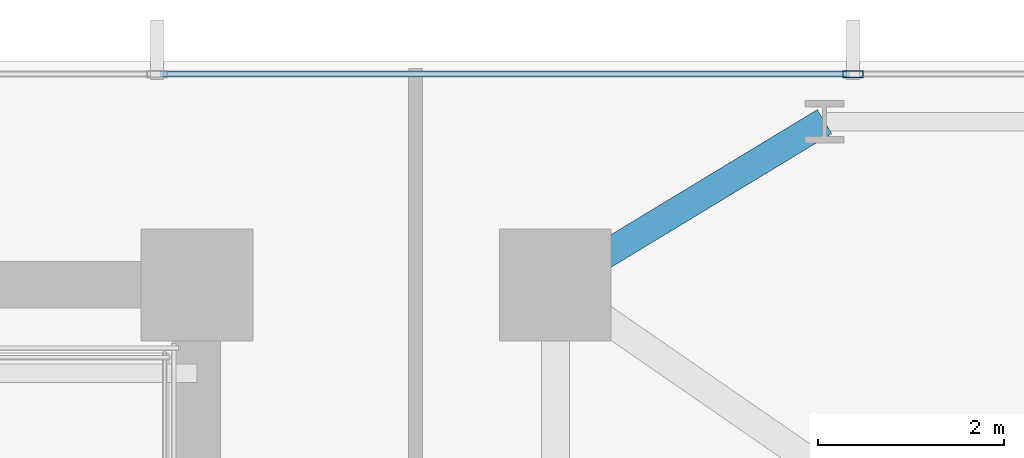
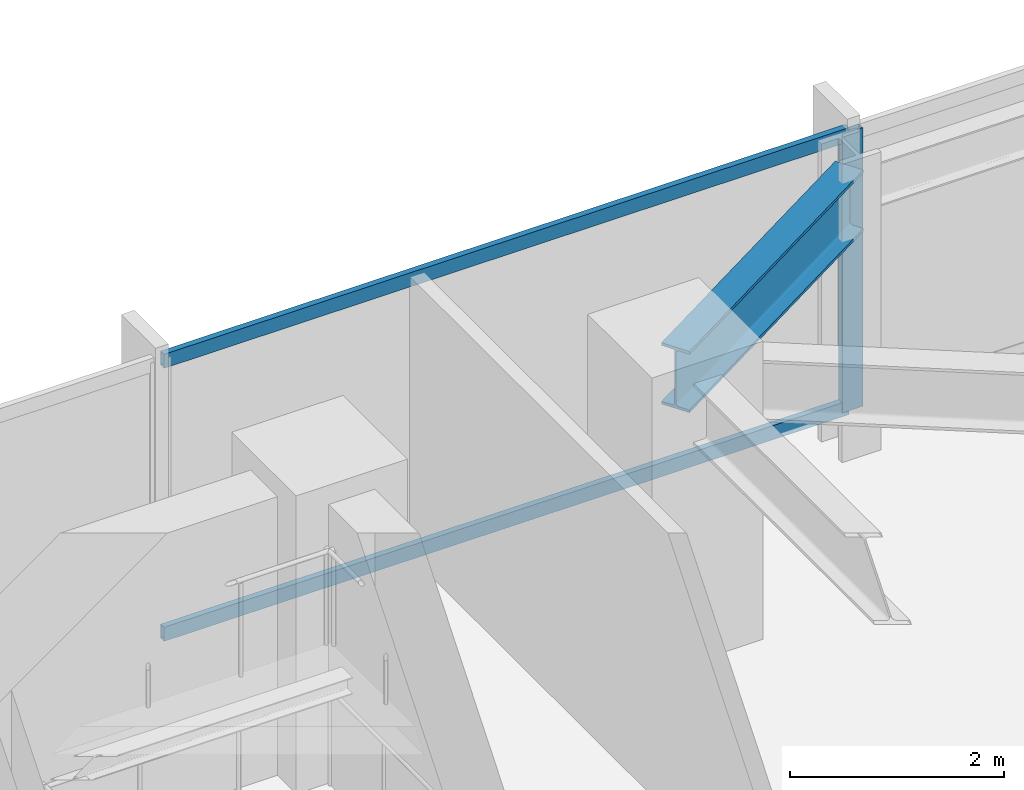
# One storey, part 20 of 32: 3 members, 1 beam, 1 element without a shape of its own.
"""IFC4 building model written with IfcOpenShell, lengths in metres."""

from ifc_helpers import new_model, si_unit, direction, frame, origin, origin_2d, place, context, subcontext, project, spatial, hollow_rectangle, i_section, extrude, material, material_profile, profile_set, type_object, element, aggregate, save


model = new_model("IFC4")

# Units and contexts
model_context = context("Model", 3, precision=1e-05, world=origin(), true_north=direction((0.0, 1.0)))
body_context = subcontext(model_context, "Body", "Model", "MODEL_VIEW")
ifc_project = project(units=[si_unit("LENGTHUNIT", "METRE"), si_unit("AREAUNIT", "SQUARE_METRE"), si_unit("VOLUMEUNIT", "CUBIC_METRE"), si_unit("PLANEANGLEUNIT", "RADIAN"), si_unit("MASSUNIT", "GRAM", prefix="KILO")], contexts=[model_context])

# Site, building, storey
site_placement = place(None, origin())
site = spatial("IfcSite", under=ifc_project, at=site_placement, CompositionType="ELEMENT")
building_placement = place(site_placement, origin())
building = spatial("IfcBuilding", under=site, at=building_placement, Name="Yelkora Congress Tower", CompositionType="ELEMENT")
storey_placement = place(building_placement, frame((0.0, 0.0, 40.60009765625)))
storey = spatial("IfcBuildingStorey", under=building, at=storey_placement, Name="L09", CompositionType="ELEMENT", Elevation=40.60009765625)

# Beam
ifc_material_1 = material(Name="Steel S355J2", Category="steel")
ifc_material_profile_1 = material_profile(ifc_material_1, i_section(OverallWidth=0.300048828125, OverallDepth=0.699951171875, WebThickness=0.01708984375, FlangeThickness=0.031982421875, FilletRadius=0.027099609375, at=origin_2d()), Name="HEB 700")
ifc_profile_set_1 = profile_set([ifc_material_profile_1], Name="Steel S355J2")
beam_type = type_object("IfcBeamType", Name="BM-GIRD-HEB700", PredefinedType="BEAM", material=ifc_profile_set_1)
beam_placement = place(storey_placement, frame((60.487548828125, 47.949951171875, 2.829833984375), z_axis=(-0.855193946581, -0.518308126244, 0.0), x_axis=(0.518308126244, -0.855193946581, 0.0)))
element("IfcBeam", 1, at=beam_placement, inside=storey, type_object=beam_type, Name="L09 Primary Frame Girder N08", PredefinedType="BEAM", context=body_context, shape_type="SweptSolid", body=[
    extrude(i_section(OverallWidth=0.300048828125, OverallDepth=0.699951171875, WebThickness=0.01708984375, FlangeThickness=0.031982421875, FilletRadius=0.027099609375, at=origin_2d()), origin(), (0.0, 0.0, 1.0), 3.37646484375),
])

# Curtain wall, members
ifc_material_2 = material(Name="Anodised aluminium and insulated glass", Category="aluminium")
curtain_wall_type = type_object("IfcCurtainWallType", Name="CW-SYS-B1", PredefinedType="NOTDEFINED", material=ifc_material_2)
curtain_wall_placement = place(storey_placement, origin())
curtain_wall = element("IfcCurtainWall", 2, at=curtain_wall_placement, inside=storey, type_object=curtain_wall_type, Name="L09 Unitised Curtain Wall 10", PredefinedType="NOTDEFINED")
ifc_material_3 = material(Name="Anodised aluminium 6063-T6", Category="aluminium")
ifc_material_profile_2 = material_profile(ifc_material_3, hollow_rectangle(XDim=0.074951171875, YDim=0.219970703125, WallThickness=0.0048828125, at=origin_2d()), Name="ALU 75x220x5")
ifc_profile_set_2 = profile_set([ifc_material_profile_2], Name="Anodised aluminium 6063-T6")
member_type_1 = type_object("IfcMemberType", Name="MEM-ML-B1", PredefinedType="MULLION", material=ifc_profile_set_2)
member_1_placement = place(storey_placement, frame((60.794921875, 48.4599609375, 0.0), z_axis=(0.0, 0.0, 1.0), x_axis=(0.0, 1.0, 0.0)))
member_1 = element("IfcMember", 3, at=member_1_placement, type_object=member_type_1, Name="CW-B1 mullion 8", PredefinedType="MULLION", context=body_context, shape_type="SweptSolid", body=[
    extrude(hollow_rectangle(XDim=0.074951171875, YDim=0.219970703125, WallThickness=0.0048828125, at=origin_2d()), origin(), (0.0, 0.0, 1.0), 3.179931640625),
])
ifc_material_profile_3 = material_profile(ifc_material_3, hollow_rectangle(XDim=0.06494140625, YDim=0.159912109375, WallThickness=0.00390625, at=origin_2d()), Name="ALU 65x160x4")
ifc_profile_set_3 = profile_set([ifc_material_profile_3], Name="Anodised aluminium 6063-T6")
member_type_2 = type_object("IfcMemberType", Name="MEM-TR-B1", PredefinedType="USERDEFINED", material=ifc_profile_set_3)
member_2_placement = place(storey_placement, frame((53.367431640625, 48.4599609375, 0.032470703125), z_axis=(1.0, 0.0, 0.0), x_axis=(0.0, 1.0, 0.0)))
member_2 = element("IfcMember", 4, at=member_2_placement, type_object=member_type_2, Name="CW-B1 transom 7.1", ObjectType="TRANSOM", PredefinedType="USERDEFINED", context=body_context, shape_type="SweptSolid", body=[
    extrude(hollow_rectangle(XDim=0.06494140625, YDim=0.159912109375, WallThickness=0.00390625, at=origin_2d()), origin(), (0.0, 0.0, 1.0), 7.39013671875),
])
member_3_placement = place(storey_placement, frame((53.367431640625, 48.4599609375, 3.1474609375), z_axis=(1.0, 0.0, 0.0), x_axis=(0.0, 1.0, 0.0)))
member_3 = element("IfcMember", 5, at=member_3_placement, type_object=member_type_2, Name="CW-B1 transom 7.2", ObjectType="TRANSOM", PredefinedType="USERDEFINED", context=body_context, shape_type="SweptSolid", body=[
    extrude(hollow_rectangle(XDim=0.06494140625, YDim=0.159912109375, WallThickness=0.00390625, at=origin_2d()), origin(), (0.0, 0.0, 1.0), 7.39013671875),
])
aggregate(curtain_wall, [member_1, member_2, member_3])

save(model, "model.ifc")
